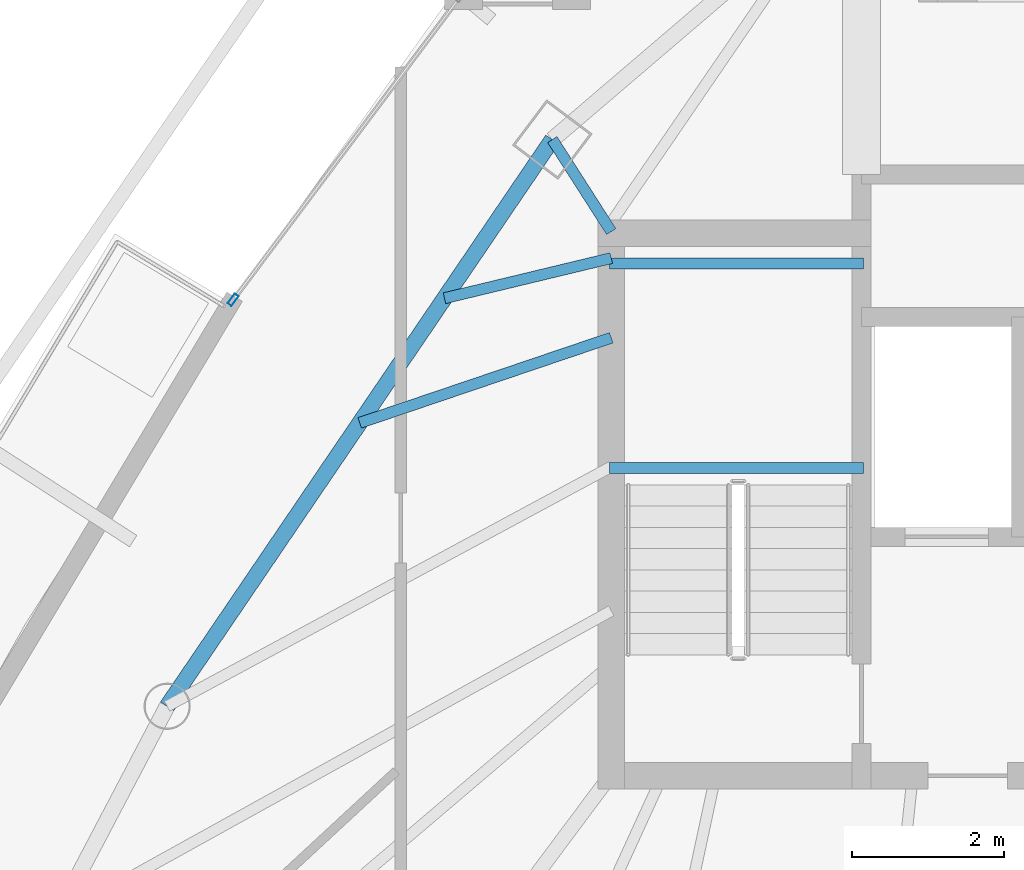
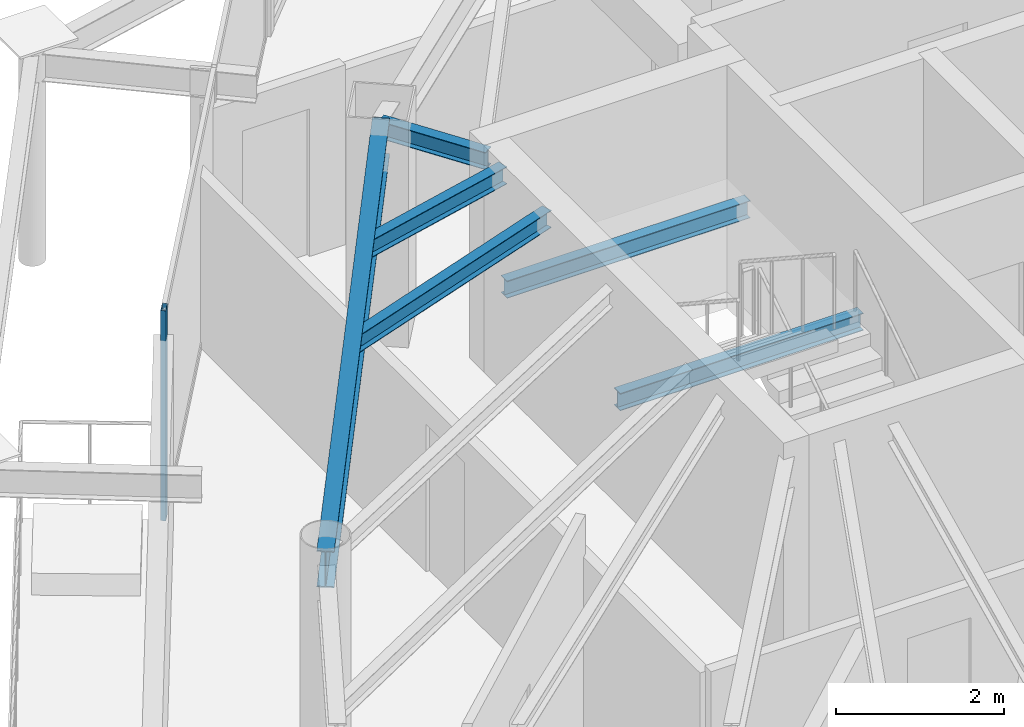
# One storey, part 12 of 32: 6 beams, 1 member, 1 element without a shape of its own.
"""IFC4 building model written with IfcOpenShell, lengths in metres."""

from ifc_helpers import new_model, si_unit, direction, frame, origin, origin_2d, place, context, subcontext, project, spatial, hollow_rectangle, i_section, extrude, material, layer, layer_set, material_profile, profile_set, type_object, element, aggregate, save


model = new_model("IFC4")

# Units and contexts
model_context = context("Model", 3, precision=1e-05, world=origin(), true_north=direction((0.0, 1.0)))
body_context = subcontext(model_context, "Body", "Model", "MODEL_VIEW")
ifc_project = project(units=[si_unit("LENGTHUNIT", "METRE"), si_unit("AREAUNIT", "SQUARE_METRE"), si_unit("VOLUMEUNIT", "CUBIC_METRE"), si_unit("PLANEANGLEUNIT", "RADIAN"), si_unit("MASSUNIT", "GRAM", prefix="KILO")], contexts=[model_context])

# Site, building, storey
site_placement = place(None, origin())
site = spatial("IfcSite", under=ifc_project, at=site_placement, CompositionType="ELEMENT")
building_placement = place(site_placement, origin())
building = spatial("IfcBuilding", under=site, at=building_placement, Name="Orvanel Arch Residences", CompositionType="ELEMENT")
storey_placement = place(building_placement, frame((0.0, 0.0, 222.800048828125)))
storey = spatial("IfcBuildingStorey", under=building, at=storey_placement, Name="L63", CompositionType="ELEMENT", Elevation=222.800048828125)

# Beams
ifc_material_1 = material(Name="Structural steel AS/NZS 3679.1 Grade 300 (300 MPa)", Category="steel")
ifc_material_profile_1 = material_profile(ifc_material_1, i_section(OverallWidth=0.14599609375, OverallDepth=0.251953125, WebThickness=0.006103515625, FlangeThickness=0.008544921875, at=origin_2d()), Name="250UB31.4")
ifc_profile_set_1 = profile_set([ifc_material_profile_1], Name="Structural steel AS/NZS 3679.1 Grade 300 (300 MPa)")
beam_type_1 = type_object("IfcBeamType", Name="BJ-250UB", PredefinedType="JOIST", material=ifc_profile_set_1)
for number, where, z_axis, x_axis, name in (
    (1, (26.39990234375, 30.780029296875, 1.323974609375), (1.0, 0.0, 0.0), (0.0, 1.0, 0.0), "L63 ST-1 Half-Landing Support Beam 1.1"),
    (2, (26.39990234375, 33.47998046875, 1.323974609375), (1.0, 0.0, 0.0), (0.0, 1.0, 0.0), "L63 ST-1 Half-Landing Support Beam 1.2"),
):
    element("IfcBeam", number, at=place(storey_placement, frame(where, z_axis=z_axis, x_axis=x_axis)), inside=storey, type_object=beam_type_1, Name=name, PredefinedType="JOIST", context=body_context, shape_type="SweptSolid", body=[
        extrude(i_section(OverallWidth=0.14599609375, OverallDepth=0.251953125, WebThickness=0.006103515625, FlangeThickness=0.008544921875, at=origin_2d()), origin(), (0.0, 0.0, 1.0), 3.35009765625),
    ])
beam_1_placement = place(storey_placement, frame((26.425048828125, 33.89990234375, 2.933837890625), z_axis=(-0.539395075146, 0.842052820735, 0.0), x_axis=(-0.842052820735, -0.539395075146, 0.0)))
element("IfcBeam", 3, at=beam_1_placement, inside=storey, type_object=beam_type_1, Name="L63 NNW Wing Floor Joist", PredefinedType="JOIST", context=body_context, shape_type="SweptSolid", body=[
    extrude(i_section(OverallWidth=0.14599609375, OverallDepth=0.251953125, WebThickness=0.006103515625, FlangeThickness=0.008544921875, at=origin_2d()), origin(), (0.0, 0.0, 1.0), 1.440673828125),
])
beam_2_placement = place(storey_placement, frame((26.425048828125, 32.5, 2.933837890625), z_axis=(-0.947187956478, -0.320678928373, 0.0), x_axis=(0.320678928373, -0.947187956478, 0.0)))
element("IfcBeam", 4, at=beam_2_placement, inside=storey, type_object=beam_type_1, Name="L63 WNW Wing Floor Joist", PredefinedType="JOIST", context=body_context, shape_type="SweptSolid", body=[
    extrude(i_section(OverallWidth=0.14599609375, OverallDepth=0.251953125, WebThickness=0.006103515625, FlangeThickness=0.008544921875, at=origin_2d()), origin(), (0.0, 0.0, 1.0), 3.502197265625),
])
beam_3_placement = place(storey_placement, frame((26.425048828125, 33.550048828125, 2.933837890625), z_axis=(-0.972256833016, -0.23391590509, 0.0), x_axis=(0.23391590509, -0.972256833016, 0.0)))
element("IfcBeam", 5, at=beam_3_placement, inside=storey, type_object=beam_type_1, Name="L63 JADD3 Wing Floor Joist", PredefinedType="JOIST", context=body_context, shape_type="SweptSolid", body=[
    extrude(i_section(OverallWidth=0.14599609375, OverallDepth=0.251953125, WebThickness=0.006103515625, FlangeThickness=0.008544921875, at=origin_2d()), origin(), (0.0, 0.0, 1.0), 2.26171875),
])

# Curtain wall, member
ifc_material_2 = material(Name="Bronze-anodised aluminium AA6063-T6", Category="aluminium")
ifc_layer = layer(ifc_material_2, 0.175048828125)
ifc_layer_set = layer_set([ifc_layer], Name="Bronze-anodised aluminium AA6063-T6")
curtain_wall_type = type_object("IfcCurtainWallType", Name="CW4-HI-SYS", PredefinedType="NOTDEFINED", material=ifc_layer_set)
curtain_wall_placement = place(storey_placement, origin())
curtain_wall = element("IfcCurtainWall", 6, at=curtain_wall_placement, inside=storey, type_object=curtain_wall_type, Name="L63 CW4-HI-SYS Unitised Curtain Wall", PredefinedType="NOTDEFINED")
ifc_material_profile_2 = material_profile(ifc_material_2, hollow_rectangle(XDim=0.06494140625, YDim=0.159912109375, WallThickness=0.00390625, at=origin_2d()), Name="ALU160x65x4")
ifc_profile_set_2 = profile_set([ifc_material_profile_2], Name="Bronze-anodised aluminium AA6063-T6")
member_type = type_object("IfcMemberType", Name="MUL-160x65", PredefinedType="MULLION", material=ifc_profile_set_2)
member_placement = place(storey_placement, frame((21.439453125, 33.0, 0.0), z_axis=(0.0, 0.0, 1.0), x_axis=(0.800476458044, -0.599364196559, 0.0)))
member = element("IfcMember", 7, at=member_placement, type_object=member_type, Name="CW-S4 mullion 3", PredefinedType="MULLION", context=body_context, shape_type="SweptSolid", body=[
    extrude(hollow_rectangle(XDim=0.06494140625, YDim=0.159912109375, WallThickness=0.00390625, at=origin_2d()), origin(), (0.0, 0.0, 1.0), 3.06005859375),
])
aggregate(curtain_wall, [member])

# Beam
ifc_material_profile_3 = material_profile(ifc_material_1, i_section(OverallWidth=0.208984375, OverallDepth=0.532958984375, WebThickness=0.01025390625, FlangeThickness=0.015625, at=origin_2d()), Name="530UB92.4")
ifc_profile_set_3 = profile_set([ifc_material_profile_3], Name="Structural steel AS/NZS 3679.1 Grade 300 (300 MPa)")
beam_type_2 = type_object("IfcBeamType", Name="SP-530UB", PredefinedType="SPANDREL", material=ifc_profile_set_3)
beam_4_placement = place(storey_placement, frame((25.64794921875, 35.113037109375, 2.7939453125), z_axis=(-0.562154793153, -0.827032035978, 0.0), x_axis=(0.827032035978, -0.562154793153, 0.0)))
element("IfcBeam", 8, at=beam_4_placement, inside=storey, type_object=beam_type_2, Name="L63 Perimeter Spandrel Beam 11", PredefinedType="SPANDREL", context=body_context, shape_type="SweptSolid", body=[
    extrude(i_section(OverallWidth=0.208984375, OverallDepth=0.532958984375, WebThickness=0.01025390625, FlangeThickness=0.015625, at=origin_2d()), origin(), (0.0, 0.0, 1.0), 9.03466796875),
])

save(model, "model.ifc")
